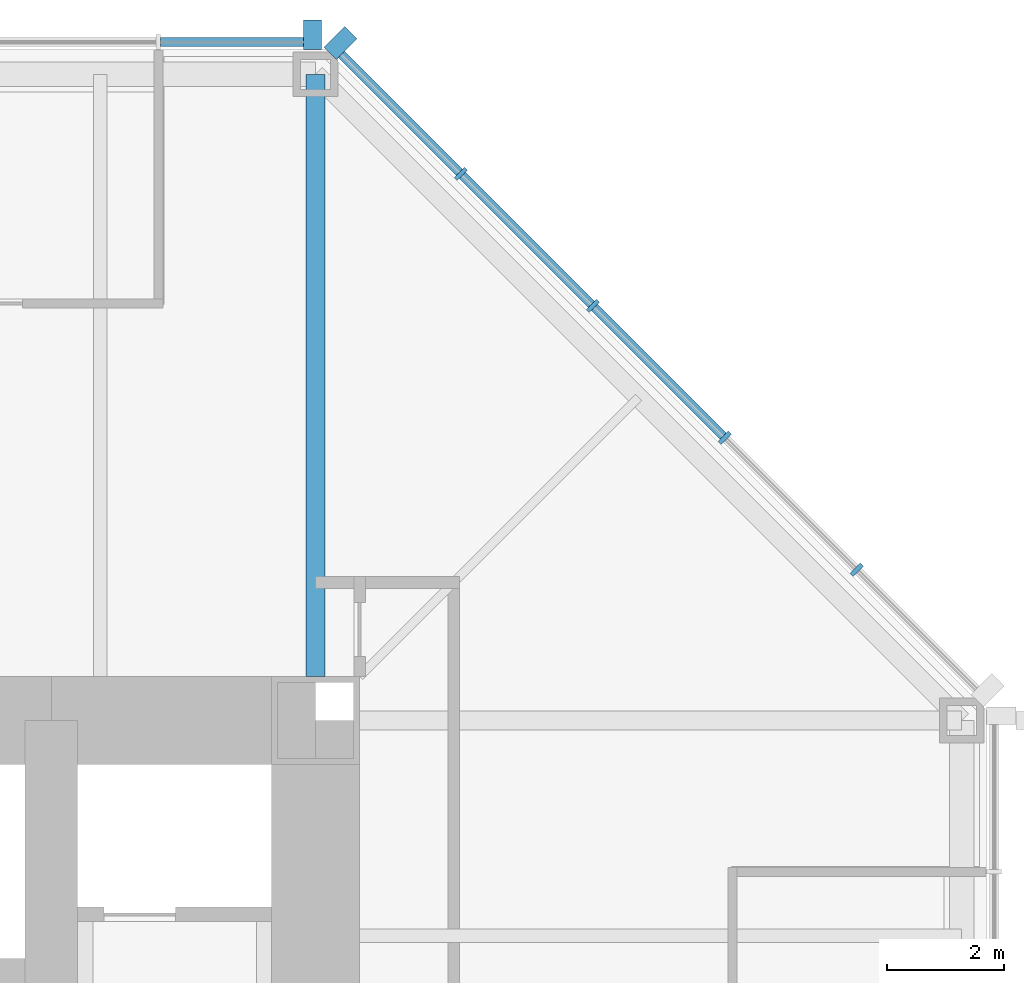
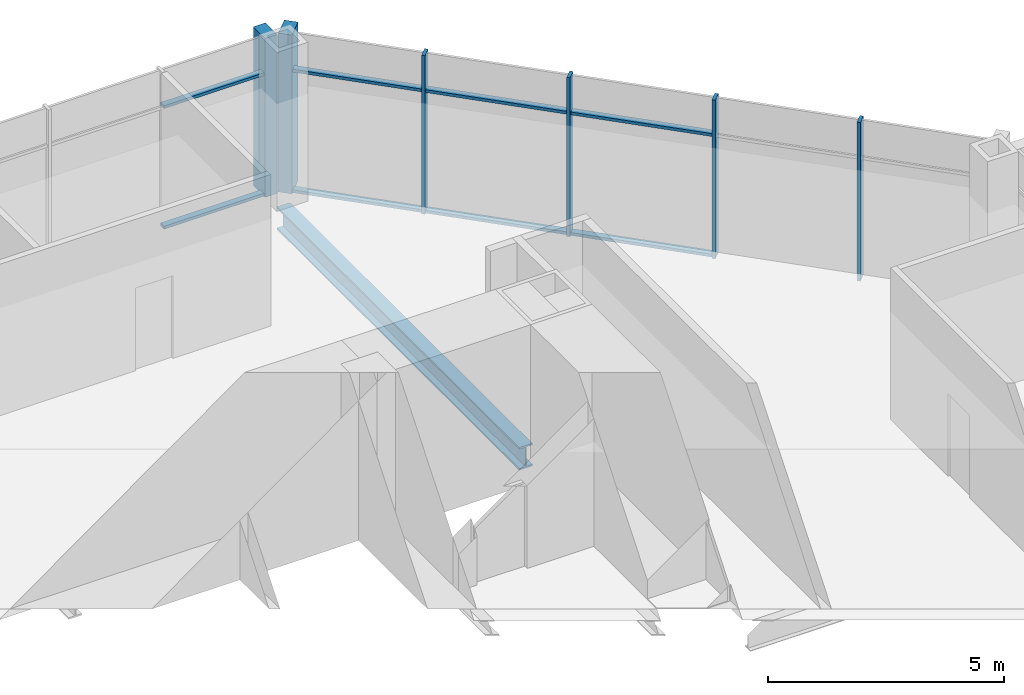
# One storey, part 6 of 12: 14 members, 1 beam, 2 elements without a shape of their own.
"""IFC4 building model written with IfcOpenShell, lengths in metres."""

import ifcopenshell
import ifcopenshell.guid

model = None  # the IFC model being written
_history = None  # IfcOwnerHistory: only IFC2X3 demands one
_inside = {}  # id of a spatial element -> (the spatial element, [elements in it])
_under = {}  # id of a project, library or spatial element -> (it, [spatial elements below it])
_declared = {}  # id of a project -> (the project, [libraries it declares])
_typed = {}  # id of a type object -> (the type object, [elements of that type])
_made_of = {}  # id of a material, layer set ... -> (it, [elements and type objects made of it])


def new_model(schema):
    """Start an empty IFC model of exactly this schema.

    Asked for "IFC4X3", IfcOpenShell would pick the latest addendum, in which some entities
    have other attributes; the version numbers below select the first issue.
    IFC2X3 requires an IfcOwnerHistory on every rooted entity: one is made here for all.
    """
    global model, _history
    if schema == "IFC4X3":
        model = ifcopenshell.file(schema_version=(4, 3, 0, 0))
    else:
        model = ifcopenshell.file(schema=schema)
    _inside.clear()
    _under.clear()
    _declared.clear()
    _typed.clear()
    _made_of.clear()
    _history = None
    if model.schema == "IFC2X3":
        org = make("IfcOrganization", Name="unknown")
        user = make(
            "IfcPersonAndOrganization",
            ThePerson=make("IfcPerson", FamilyName="unknown"),
            TheOrganization=org,
        )
        app = make(
            "IfcApplication",
            ApplicationDeveloper=org,
            Version="unknown",
            ApplicationFullName="unknown",
            ApplicationIdentifier="unknown",
        )
        _history = make(
            "IfcOwnerHistory",
            OwningUser=user,
            OwningApplication=app,
            ChangeAction="ADDED",
            CreationDate=0,
        )
    return model


def make(cls, **values):
    """One entity of the class cls with the attributes given. An attribute that is None is left unset."""
    return model.create_entity(
        cls, **{name: value for name, value in values.items() if value is not None}
    )


def rooted(cls, **values):
    """An entity with a GlobalId (a new one), such as an element, a storey or a relation."""
    return make(cls, GlobalId=ifcopenshell.guid.new(), OwnerHistory=_history, **values)


def si_unit(unit_type, name, prefix=None):
    """IfcSIUnit, for example si_unit("LENGTHUNIT", "METRE", prefix="MILLI")."""
    return make("IfcSIUnit", UnitType=unit_type, Prefix=prefix, Name=name)


def assignment(units):
    """IfcUnitAssignment: the units of a project."""
    return None if units is None else make("IfcUnitAssignment", Units=units)


def point(xyz):
    """IfcCartesianPoint."""
    return None if xyz is None else make("IfcCartesianPoint", Coordinates=xyz)


def direction(xyz):
    """IfcDirection."""
    return None if xyz is None else make("IfcDirection", DirectionRatios=xyz)


def frame(location, z_axis=None, x_axis=None):
    """IfcAxis2Placement3D, a coordinate frame: its origin and axes. An axis left out is left unset."""
    return make(
        "IfcAxis2Placement3D",
        Location=point(location),
        Axis=direction(z_axis),
        RefDirection=direction(x_axis),
    )


def frame_2d(location, x_axis=None):
    """IfcAxis2Placement2D, a coordinate frame in the plane: its origin and x axis."""
    return make(
        "IfcAxis2Placement2D", Location=point(location), RefDirection=direction(x_axis)
    )


def origin():
    """The frame at (0, 0, 0) with its axes left unset."""
    return frame((0.0, 0.0, 0.0))


def origin_2d():
    """The frame at (0, 0) in the plane with its x axis left unset."""
    return frame_2d((0.0, 0.0))


def place(relative_to, where):
    """IfcLocalPlacement: puts the frame where relative to a parent placement (None: the world)."""
    return make(
        "IfcLocalPlacement", PlacementRelTo=relative_to, RelativePlacement=where
    )


def context(
    kind, dimensions, precision=None, world=None, true_north=None, identifier=None
):
    """IfcGeometricRepresentationContext, for example the 3D "Model" context."""
    return make(
        "IfcGeometricRepresentationContext",
        ContextIdentifier=identifier,
        ContextType=kind,
        CoordinateSpaceDimension=dimensions,
        Precision=precision,
        WorldCoordinateSystem=world,
        TrueNorth=true_north,
    )


def subcontext(parent, identifier, kind, view, scale=None):
    """IfcGeometricRepresentationSubContext, for example "Body" below "Model"."""
    return make(
        "IfcGeometricRepresentationSubContext",
        ContextIdentifier=identifier,
        ContextType=kind,
        ParentContext=parent,
        TargetScale=scale,
        TargetView=view,
    )


def project(units=None, contexts=None):
    """IfcProject with its units and contexts."""
    return rooted(
        "IfcProject",
        Name="project",
        RepresentationContexts=contexts,
        UnitsInContext=assignment(units),
    )


def spatial(cls, under=None, at=None, **own):
    """A site, building, storey or space (cls), placed at a placement, below another one or the project."""
    s = rooted(cls, ObjectPlacement=at, **own)
    if under is not None:
        _under.setdefault(under.id(), (under, []))[1].append(s)
    return s


def profile(cls, at=None, kind="AREA", **sizes):
    """A parametric profile (cls). Its sizes go by their IFC names, for example OverallWidth=200.0."""
    return make(cls, ProfileType=kind, Position=at, **sizes)


def rectangle(**sizes):
    """IfcRectangleProfileDef."""
    return profile("IfcRectangleProfileDef", **sizes)


def i_section(**sizes):
    """IfcIShapeProfileDef."""
    return profile("IfcIShapeProfileDef", **sizes)


def extrude(swept, where, along, depth):
    """IfcExtrudedAreaSolid: the profile swept, set in the frame where, extruded along a direction by depth."""
    return make(
        "IfcExtrudedAreaSolid",
        SweptArea=swept,
        Position=where,
        ExtrudedDirection=direction(along),
        Depth=depth,
    )


def shape(context_of_items, identifier, shape_type, items):
    """IfcShapeRepresentation: the items that make up one representation, for example the "Body"."""
    return make(
        "IfcShapeRepresentation",
        ContextOfItems=context_of_items,
        RepresentationIdentifier=identifier,
        RepresentationType=shape_type,
        Items=items,
    )


def material(Name=None, Category=None):
    """IfcMaterial."""
    return make("IfcMaterial", Name=Name, Category=Category)


def material_profile(
    of_material, cross_section, Name=None, Category=None, Priority=None
):
    """IfcMaterialProfile: a cross section and its material."""
    return make(
        "IfcMaterialProfile",
        Name=Name,
        Material=of_material,
        Profile=cross_section,
        Priority=Priority,
        Category=Category,
    )


def profile_set(profiles, Name=None, composite=None):
    """IfcMaterialProfileSet."""
    return make(
        "IfcMaterialProfileSet",
        Name=Name,
        MaterialProfiles=profiles,
        CompositeProfile=composite,
    )


def made_of(thing, what):
    """Note that an element or type object is made of a material, layer set ...; save() writes the relation."""
    if what is not None:
        _made_of.setdefault(what.id(), (what, []))[1].append(thing)
    return thing


def type_object(cls, material=None, **own):
    """A type object (cls), such as IfcWallType, which elements share."""
    return made_of(rooted(cls, **own), material)


def element(
    cls,
    number,
    at=None,
    inside=None,
    cuts=None,
    type_object=None,
    material=None,
    context=None,
    identifier="Body",
    shape_type=None,
    held_by="IfcProductDefinitionShape",
    body=None,
    shapes=None,
    **own,
):
    """One element of the class cls, such as IfcWall. Its Tag is "e" and its number.

    at: its placement. inside: the storey or other place that contains it. cuts: it is an
    opening in that element (IfcRelVoidsElement). A single representation is given by context,
    identifier, shape_type and body (its items); several are given by shapes. held_by: the class
    of the entity that holds the representations. save() writes the other relations.
    """
    e = rooted(cls, Tag="e%d" % number, ObjectPlacement=at, **own)
    if body is not None:
        shapes = [shape(context, identifier, shape_type, body)]
    if shapes is not None:
        e.Representation = make(held_by, Representations=shapes)
    if inside is not None:
        _inside.setdefault(inside.id(), (inside, []))[1].append(e)
    if cuts is not None:
        rooted(
            "IfcRelVoidsElement", RelatingBuildingElement=cuts, RelatedOpeningElement=e
        )
    if type_object is not None:
        _typed.setdefault(type_object.id(), (type_object, []))[1].append(e)
    return made_of(e, material)


def aggregate(whole, parts):
    """IfcRelAggregates: a whole, such as a stair, and the parts it consists of."""
    return rooted("IfcRelAggregates", RelatingObject=whole, RelatedObjects=parts)


def save(model, path):
    """Write the relations noted so far, then the file.

    IfcRelAggregates (storeys below a building ...), IfcRelContainedInSpatialStructure (elements
    in a storey), IfcRelDefinesByType, IfcRelAssociatesMaterial and IfcRelDeclares: one each for
    every whole, place, type object, material and project.
    """
    for whole, parts in _under.values():
        aggregate(whole, parts)
    for where, things in _inside.values():
        rooted(
            "IfcRelContainedInSpatialStructure",
            RelatedElements=things,
            RelatingStructure=where,
        )
    for kind, things in _typed.values():
        rooted("IfcRelDefinesByType", RelatedObjects=things, RelatingType=kind)
    for what, things in _made_of.values():
        rooted("IfcRelAssociatesMaterial", RelatedObjects=things, RelatingMaterial=what)
    for by, libraries in _declared.values():
        rooted("IfcRelDeclares", RelatingContext=by, RelatedDefinitions=libraries)
    model.write(path)


model = new_model("IFC4")

# Units and contexts
model_context = context("Model", 3, precision=1e-05, world=origin(), true_north=direction((0.0, 1.0)))
body_context = subcontext(model_context, "Body", "Model", "MODEL_VIEW")
ifc_project = project(units=[si_unit("LENGTHUNIT", "METRE"), si_unit("AREAUNIT", "SQUARE_METRE"), si_unit("VOLUMEUNIT", "CUBIC_METRE"), si_unit("PLANEANGLEUNIT", "RADIAN"), si_unit("MASSUNIT", "GRAM", prefix="KILO")], contexts=[model_context])

# Site, building, storey
site_placement = place(None, origin())
site = spatial("IfcSite", under=ifc_project, at=site_placement, CompositionType="ELEMENT")
building_placement = place(site_placement, origin())
building = spatial("IfcBuilding", under=site, at=building_placement, Name="Trevanion Tower", CompositionType="ELEMENT")
storey_placement = place(building_placement, frame((0.0, 0.0, 121.300048828125)))
storey = spatial("IfcBuildingStorey", under=building, at=storey_placement, Name="L28", CompositionType="ELEMENT", Elevation=121.300048828125)

# Curtain wall, members
ifc_material_1 = material(Name="Aluminium and glass", Category="aluminium")
curtain_wall_type = type_object("IfcCurtainWallType", Name="CW2 curtain wall", PredefinedType="USERDEFINED", material=ifc_material_1)
curtain_wall_1_placement = place(storey_placement, origin())
curtain_wall_1 = element("IfcCurtainWall", 1, at=curtain_wall_1_placement, inside=storey, type_object=curtain_wall_type, Name="CW2 L28 1", ObjectType="UNITISED CURTAIN WALL", PredefinedType="USERDEFINED")
ifc_material_2 = material(Name="Aluminium extrusion, anodised bronze", Category="aluminium")
ifc_material_profile_1 = material_profile(ifc_material_2, rectangle(XDim=0.074951171875, YDim=0.25, at=origin_2d()), Name="CW2 mullion")
ifc_profile_set_1 = profile_set([ifc_material_profile_1], Name="Aluminium extrusion, anodised bronze")
member_type_1 = type_object("IfcMemberType", Name="CW2 mullion", PredefinedType="MULLION", material=ifc_profile_set_1)
member_1_placement = place(storey_placement, frame((20.2119140625, 13.56591796875, -0.18994140625), z_axis=(0.0, 0.0, 1.0), x_axis=(-0.707106781187, 0.707106781187, 0.0)))
member_1 = element("IfcMember", 2, at=member_1_placement, type_object=member_type_1, Name="CW2 mullion 2", PredefinedType="MULLION", context=body_context, shape_type="SweptSolid", body=[
    extrude(rectangle(XDim=0.074951171875, YDim=0.25, at=origin_2d()), origin(), (0.0, 0.0, 1.0), 4.099853515625),
])
member_2_placement = place(storey_placement, frame((17.966064453125, 15.811767578125, -0.18994140625), z_axis=(0.0, 0.0, 1.0), x_axis=(-0.707106781187, 0.707106781187, 0.0)))
member_2 = element("IfcMember", 3, at=member_2_placement, type_object=member_type_1, Name="CW2 mullion 3", PredefinedType="MULLION", context=body_context, shape_type="SweptSolid", body=[
    extrude(rectangle(XDim=0.074951171875, YDim=0.25, at=origin_2d()), origin(), (0.0, 0.0, 1.0), 4.099853515625),
])
member_3_placement = place(storey_placement, frame((15.719970703125, 18.057861328125, -0.18994140625), z_axis=(0.0, 0.0, 1.0), x_axis=(-0.707106781187, 0.707106781187, 0.0)))
member_3 = element("IfcMember", 4, at=member_3_placement, type_object=member_type_1, Name="CW2 mullion 4", PredefinedType="MULLION", context=body_context, shape_type="SweptSolid", body=[
    extrude(rectangle(XDim=0.074951171875, YDim=0.25, at=origin_2d()), origin(), (0.0, 0.0, 1.0), 4.099853515625),
])
member_4_placement = place(storey_placement, frame((13.473876953125, 20.303955078125, -0.18994140625), z_axis=(0.0, 0.0, 1.0), x_axis=(-0.707106781187, 0.707106781187, 0.0)))
member_4 = element("IfcMember", 5, at=member_4_placement, type_object=member_type_1, Name="CW2 mullion 5", PredefinedType="MULLION", context=body_context, shape_type="SweptSolid", body=[
    extrude(rectangle(XDim=0.074951171875, YDim=0.25, at=origin_2d()), origin(), (0.0, 0.0, 1.0), 4.099853515625),
])
ifc_material_3 = material(Name="Aluminium extrusion, anodised bronze", Category="aluminium")
ifc_material_profile_2 = material_profile(ifc_material_3, rectangle(XDim=0.300048828125, YDim=0.5, at=origin_2d()), Name="CW2 pier mullion")
ifc_profile_set_2 = profile_set([ifc_material_profile_2], Name="Aluminium extrusion, anodised bronze")
member_type_2 = type_object("IfcMemberType", Name="CW2 pier mullion", PredefinedType="MULLION", material=ifc_profile_set_2)
member_5_placement = place(storey_placement, frame((11.42236328125, 22.5322265625, -0.18994140625), z_axis=(0.0, 0.0, 1.0), x_axis=(-0.707106781187, 0.707106781187, 0.0)))
member_5 = element("IfcMember", 6, at=member_5_placement, type_object=member_type_2, Name="CW2 pier mullion 6", PredefinedType="MULLION", context=body_context, shape_type="SweptSolid", body=[
    extrude(rectangle(XDim=0.300048828125, YDim=0.5, at=origin_2d()), origin(), (0.0, 0.0, 1.0), 4.099853515625),
])

# Curtain wall, member
curtain_wall_2_placement = place(storey_placement, origin())
curtain_wall_2 = element("IfcCurtainWall", 7, at=curtain_wall_2_placement, inside=storey, type_object=curtain_wall_type, Name="CW2 L28 2", ObjectType="UNITISED CURTAIN WALL", PredefinedType="USERDEFINED")
member_6_placement = place(storey_placement, frame((10.94775390625, 22.675048828125, -0.18994140625), z_axis=(0.0, 0.0, 1.0), x_axis=(-1.0, 0.0, 0.0)))
member_6 = element("IfcMember", 8, at=member_6_placement, type_object=member_type_2, Name="CW2 pier mullion 1", PredefinedType="MULLION", context=body_context, shape_type="SweptSolid", body=[
    extrude(rectangle(XDim=0.300048828125, YDim=0.5, at=origin_2d()), origin(), (0.0, 0.0, 1.0), 4.099853515625),
])

# Member
ifc_material_4 = material(Name="Aluminium extrusion, anodised bronze", Category="aluminium")
ifc_material_profile_3 = material_profile(ifc_material_4, rectangle(XDim=0.14990234375, YDim=0.074951171875, at=origin_2d()), Name="CW2 transom")
ifc_profile_set_3 = profile_set([ifc_material_profile_3], Name="Aluminium extrusion, anodised bronze")
member_type_3 = type_object("IfcMemberType", Name="CW2 transom", PredefinedType="USERDEFINED", material=ifc_profile_set_3)
member_7_placement = place(storey_placement, frame((17.939453125, 15.83837890625, -0.152587890625), z_axis=(-0.707106781187, 0.707106781187, 0.0), x_axis=(-0.707106781187, -0.707106781187, 0.0)))
member_7 = element("IfcMember", 9, at=member_7_placement, type_object=member_type_3, Name="CW2 transom 3.1", ObjectType="TRANSOM", PredefinedType="USERDEFINED", context=body_context, shape_type="SweptSolid", body=[
    extrude(rectangle(XDim=0.14990234375, YDim=0.074951171875, at=origin_2d()), origin(), (0.0, 0.0, 1.0), 3.1015625),
])

member_8_placement = place(storey_placement, frame((17.939453125, 15.83837890625, 2.9599609375), z_axis=(-0.707106781187, 0.707106781187, 0.0), x_axis=(-0.707106781187, -0.707106781187, 0.0)))
member_8 = element("IfcMember", 10, at=member_8_placement, type_object=member_type_3, Name="CW2 transom 3.2", ObjectType="TRANSOM", PredefinedType="USERDEFINED", context=body_context, shape_type="SweptSolid", body=[
    extrude(rectangle(XDim=0.14990234375, YDim=0.074951171875, at=origin_2d()), origin(), (0.0, 0.0, 1.0), 3.1015625),
])

member_9_placement = place(storey_placement, frame((15.693359375, 18.08447265625, -0.152587890625), z_axis=(-0.707106781187, 0.707106781187, 0.0), x_axis=(-0.707106781187, -0.707106781187, 0.0)))
member_9 = element("IfcMember", 11, at=member_9_placement, type_object=member_type_3, Name="CW2 transom 4.1", ObjectType="TRANSOM", PredefinedType="USERDEFINED", context=body_context, shape_type="SweptSolid", body=[
    extrude(rectangle(XDim=0.14990234375, YDim=0.074951171875, at=origin_2d()), origin(), (0.0, 0.0, 1.0), 3.10107421875),
])

member_10_placement = place(storey_placement, frame((15.693359375, 18.08447265625, 2.9599609375), z_axis=(-0.707106781187, 0.707106781187, 0.0), x_axis=(-0.707106781187, -0.707106781187, 0.0)))
member_10 = element("IfcMember", 12, at=member_10_placement, type_object=member_type_3, Name="CW2 transom 4.2", ObjectType="TRANSOM", PredefinedType="USERDEFINED", context=body_context, shape_type="SweptSolid", body=[
    extrude(rectangle(XDim=0.14990234375, YDim=0.074951171875, at=origin_2d()), origin(), (0.0, 0.0, 1.0), 3.10107421875),
])

member_11_placement = place(storey_placement, frame((13.447509765625, 20.33056640625, -0.152587890625), z_axis=(-0.707149778163, 0.707063781595, 0.0), x_axis=(-0.707063781595, -0.707149778163, 0.0)))
member_11 = element("IfcMember", 13, at=member_11_placement, type_object=member_type_3, Name="CW2 transom 5.1", ObjectType="TRANSOM", PredefinedType="USERDEFINED", context=body_context, shape_type="SweptSolid", body=[
    extrude(rectangle(XDim=0.14990234375, YDim=0.074951171875, at=origin_2d()), origin(), (0.0, 0.0, 1.0), 2.8388671875),
])

member_12_placement = place(storey_placement, frame((13.447509765625, 20.33056640625, 2.9599609375), z_axis=(-0.707149778163, 0.707063781595, 0.0), x_axis=(-0.707063781595, -0.707149778163, 0.0)))
member_12 = element("IfcMember", 14, at=member_12_placement, type_object=member_type_3, Name="CW2 transom 5.2", ObjectType="TRANSOM", PredefinedType="USERDEFINED", context=body_context, shape_type="SweptSolid", body=[
    extrude(rectangle(XDim=0.14990234375, YDim=0.074951171875, at=origin_2d()), origin(), (0.0, 0.0, 1.0), 2.8388671875),
])

aggregate(curtain_wall_1, [member_1, member_2, member_3, member_4, member_5, member_7, member_8, member_9, member_10, member_11, member_12])

member_13_placement = place(storey_placement, frame((10.7978515625, 22.550048828125, -0.152587890625), z_axis=(-1.0, 0.0, 0.0), x_axis=(0.0, -1.0, 0.0)))
member_13 = element("IfcMember", 15, at=member_13_placement, type_object=member_type_3, Name="CW2 transom 1.1", ObjectType="TRANSOM", PredefinedType="USERDEFINED", context=body_context, shape_type="SweptSolid", body=[
    extrude(rectangle(XDim=0.14990234375, YDim=0.074951171875, at=origin_2d()), origin(), (0.0, 0.0, 1.0), 2.43701171875),
])

member_14_placement = place(storey_placement, frame((10.7978515625, 22.550048828125, 2.9599609375), z_axis=(-1.0, 0.0, 0.0), x_axis=(0.0, -1.0, 0.0)))
member_14 = element("IfcMember", 16, at=member_14_placement, type_object=member_type_3, Name="CW2 transom 1.2", ObjectType="TRANSOM", PredefinedType="USERDEFINED", context=body_context, shape_type="SweptSolid", body=[
    extrude(rectangle(XDim=0.14990234375, YDim=0.074951171875, at=origin_2d()), origin(), (0.0, 0.0, 1.0), 2.43701171875),
])

aggregate(curtain_wall_2, [member_6, member_13, member_14])

# Beam
ifc_material_5 = material(Name="Steel ASTM A992 Grade 50", Category="steel")
ifc_material_profile_4 = material_profile(ifc_material_5, i_section(OverallWidth=0.320068359375, OverallDepth=0.584228515625, WebThickness=0.023193359375, FlangeThickness=0.04150390625, at=origin_2d()), Name="W21X201")
ifc_profile_set_4 = profile_set([ifc_material_profile_4], Name="Steel ASTM A992 Grade 50")
beam_type = type_object("IfcBeamType", Name="G4 W21X201", PredefinedType="BEAM", material=ifc_profile_set_4)
beam_placement = place(storey_placement, frame((11.0, 11.75, -0.482177734375), z_axis=(0.0, 1.0, 0.0), x_axis=(-1.0, 0.0, 0.0)))
element("IfcBeam", 17, at=beam_placement, inside=storey, type_object=beam_type, Name="G4 L28", PredefinedType="BEAM", context=body_context, shape_type="SweptSolid", body=[
    extrude(i_section(OverallWidth=0.320068359375, OverallDepth=0.584228515625, WebThickness=0.023193359375, FlangeThickness=0.04150390625, at=origin_2d()), origin(), (0.0, 0.0, 1.0), 10.25),
])

save(model, "model.ifc")
